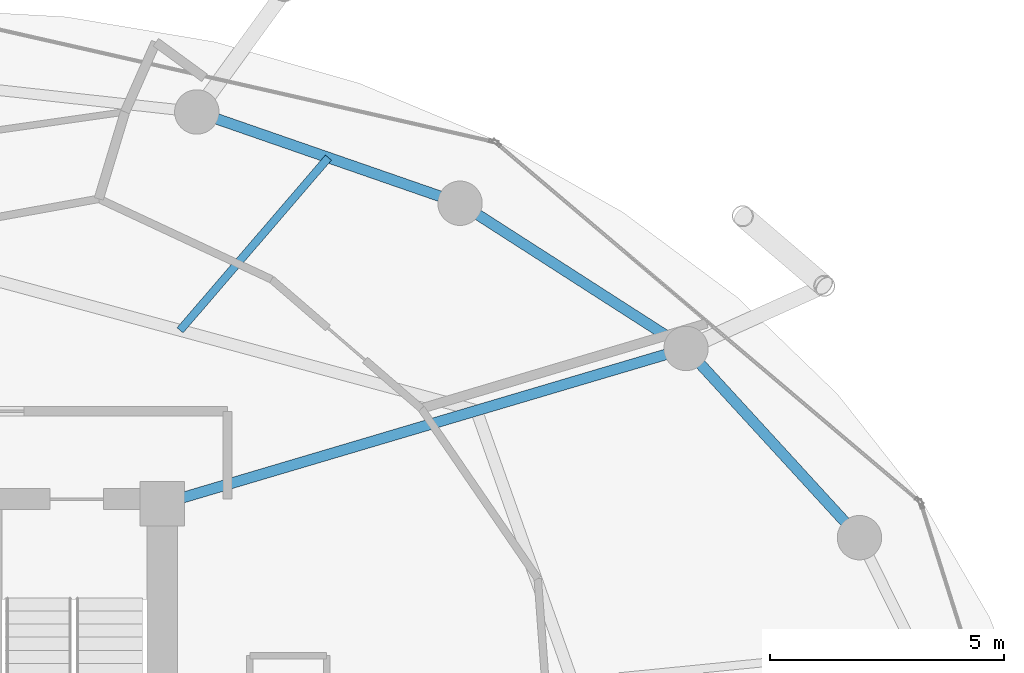
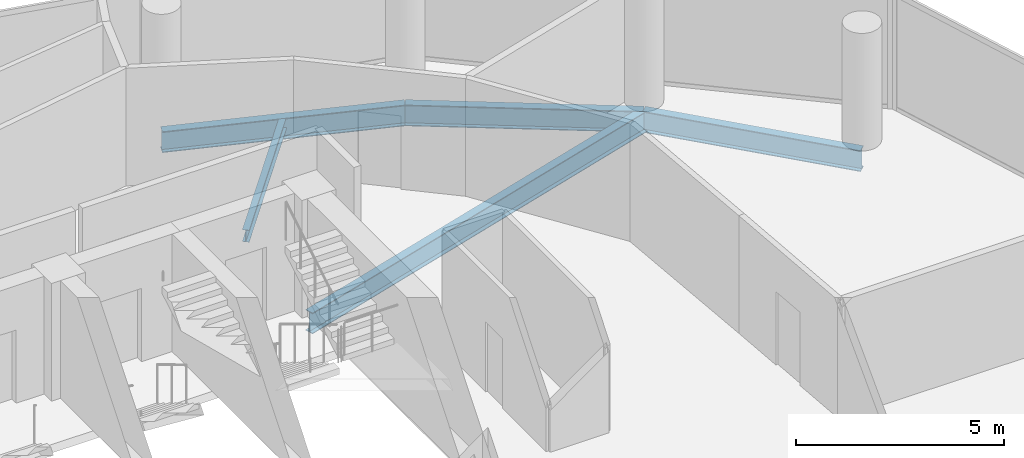
# One storey, part 18 of 26: 5 beams.
"""IFC4 building model written with IfcOpenShell, lengths in metres."""

from ifc_helpers import new_model, si_unit, direction, frame, origin, origin_2d, place, context, subcontext, project, spatial, i_section, extrude, material, material_profile, profile_set, type_object, element, save


model = new_model("IFC4")

# Units and contexts
model_context = context("Model", 3, precision=1e-05, world=origin(), true_north=direction((0.0, 1.0)))
body_context = subcontext(model_context, "Body", "Model", "MODEL_VIEW")
ifc_project = project(units=[si_unit("LENGTHUNIT", "METRE"), si_unit("AREAUNIT", "SQUARE_METRE"), si_unit("VOLUMEUNIT", "CUBIC_METRE"), si_unit("PLANEANGLEUNIT", "RADIAN"), si_unit("MASSUNIT", "GRAM", prefix="KILO")], contexts=[model_context])

# Site, building, storey
site_placement = place(None, origin())
site = spatial("IfcSite", under=ifc_project, at=site_placement, CompositionType="ELEMENT")
building_placement = place(site_placement, origin())
building = spatial("IfcBuilding", under=site, at=building_placement, Name="Nuhasar Tower", CompositionType="ELEMENT")
storey_placement = place(building_placement, frame((0.0, 0.0, 151.550048828125)))
storey = spatial("IfcBuildingStorey", under=building, at=storey_placement, Name="L36", CompositionType="ELEMENT", Elevation=151.550048828125)

# Beams
ifc_material = material(Name="Steel S355", Category="steel")
ifc_material_profile_1 = material_profile(ifc_material, i_section(OverallWidth=0.1708984375, OverallDepth=0.35205078125, WebThickness=0.0068359375, FlangeThickness=0.009765625, at=origin_2d()), Name="W14X30")
ifc_profile_set_1 = profile_set([ifc_material_profile_1], Name="Steel S355")
beam_type_1 = type_object("IfcBeamType", Name="BM-JST-W14X30", PredefinedType="JOIST", material=ifc_profile_set_1)
beam_1_placement = place(storey_placement, frame((44.68408203125, 41.011962890625, -0.426025390625), z_axis=(0.651690621509, 0.758484893612, 0.0), x_axis=(-0.758484893612, 0.651690621509, 0.0)))
element("IfcBeam", 1, at=beam_1_placement, inside=storey, type_object=beam_type_1, Name="L36 Secondary Floor Joist 05", PredefinedType="JOIST", context=body_context, shape_type="SweptSolid", body=[
    extrude(i_section(OverallWidth=0.1708984375, OverallDepth=0.35205078125, WebThickness=0.0068359375, FlangeThickness=0.009765625, at=origin_2d()), origin(), (0.0, 0.0, 1.0), 4.87158203125),
])
ifc_material_profile_2 = material_profile(ifc_material, i_section(OverallWidth=0.22900390625, OverallDepth=0.612060546875, WebThickness=0.011962890625, FlangeThickness=0.01953125, at=origin_2d()), Name="W24X84")
ifc_profile_set_2 = profile_set([ifc_material_profile_2], Name="Steel S355")
beam_type_2 = type_object("IfcBeamType", Name="BM-RAD-W24X84", PredefinedType="BEAM", material=ifc_profile_set_2)
beam_2_placement = place(storey_placement, frame((44.300048828125, 37.300048828125, -0.55615234375), z_axis=(0.958746492721, 0.284262489076, 0.0), x_axis=(-0.284262489076, 0.958746492721, 0.0)))
element("IfcBeam", 2, at=beam_2_placement, inside=storey, type_object=beam_type_2, Name="L36 Radial Floor Girder 05", PredefinedType="BEAM", context=body_context, shape_type="SweptSolid", body=[
    extrude(i_section(OverallWidth=0.22900390625, OverallDepth=0.612060546875, WebThickness=0.011962890625, FlangeThickness=0.01953125, at=origin_2d()), origin(), (0.0, 0.0, 1.0), 11.693359375),
])
ifc_material_profile_3 = material_profile(ifc_material, i_section(OverallWidth=0.22998046875, OverallDepth=0.616943359375, WebThickness=0.01318359375, FlangeThickness=0.022216796875, at=origin_2d()), Name="W24X94")
ifc_profile_set_3 = profile_set([ifc_material_profile_3], Name="Steel S355")
beam_type_3 = type_object("IfcBeamType", Name="BM-RING-W24X94", PredefinedType="SPANDREL", material=ifc_profile_set_3)
beam_3_placement = place(storey_placement, frame((59.221923828125, 36.574951171875, -0.55810546875), z_axis=(-0.675654174897, 0.737218716491, 0.0), x_axis=(-0.737218716491, -0.675654174897, 0.0)))
element("IfcBeam", 3, at=beam_3_placement, inside=storey, type_object=beam_type_3, Name="L36 Perimeter Ring Spandrel 03", PredefinedType="SPANDREL", context=body_context, shape_type="SweptSolid", body=[
    extrude(i_section(OverallWidth=0.22998046875, OverallDepth=0.616943359375, WebThickness=0.01318359375, FlangeThickness=0.022216796875, at=origin_2d()), origin(), (0.0, 0.0, 1.0), 5.492431640625),
])
beam_4_placement = place(storey_placement, frame((55.510986328125, 40.6240234375, -0.55810546875), z_axis=(-0.841327486207, 0.540525726448, 0.0), x_axis=(-0.540525726448, -0.841327486207, 0.0)))
element("IfcBeam", 4, at=beam_4_placement, inside=storey, type_object=beam_type_3, Name="L36 Perimeter Ring Spandrel 04", PredefinedType="SPANDREL", context=body_context, shape_type="SweptSolid", body=[
    extrude(i_section(OverallWidth=0.22998046875, OverallDepth=0.616943359375, WebThickness=0.01318359375, FlangeThickness=0.022216796875, at=origin_2d()), origin(), (0.0, 0.0, 1.0), 5.748046875),
])
beam_5_placement = place(storey_placement, frame((50.675048828125, 43.73095703125, -0.55810546875), z_axis=(-0.944801380051, 0.327643636066, 0.0), x_axis=(-0.327643636066, -0.944801380051, 0.0)))
element("IfcBeam", 5, at=beam_5_placement, inside=storey, type_object=beam_type_3, Name="L36 Perimeter Ring Spandrel 05", PredefinedType="SPANDREL", context=body_context, shape_type="SweptSolid", body=[
    extrude(i_section(OverallWidth=0.22998046875, OverallDepth=0.616943359375, WebThickness=0.01318359375, FlangeThickness=0.022216796875, at=origin_2d()), origin(), (0.0, 0.0, 1.0), 5.961181640625),
])

save(model, "model.ifc")
